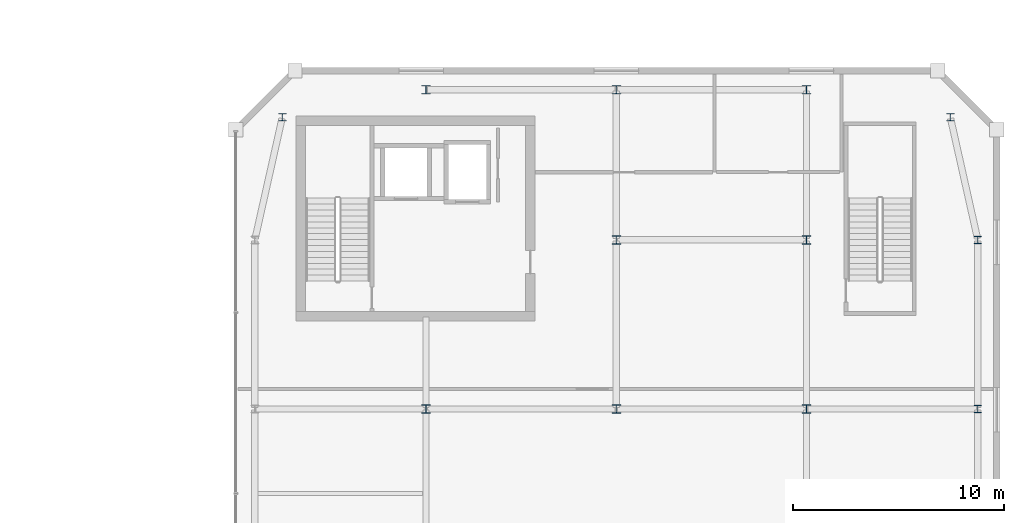
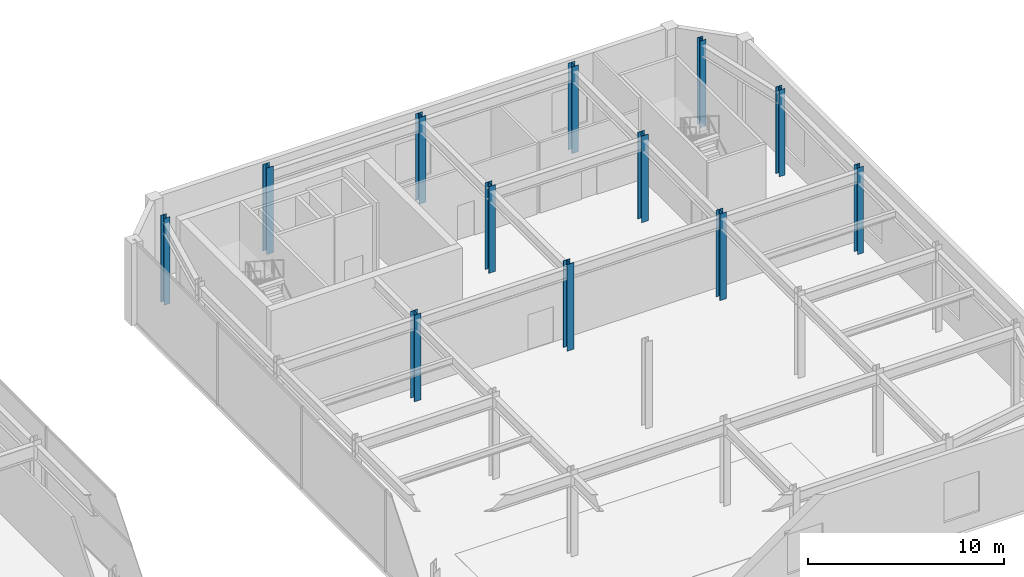
# One storey, part 7 of 51: 12 columns.
"""IFC4 building model written with IfcOpenShell, lengths in metres."""

import ifcopenshell
import ifcopenshell.guid

model = None  # the IFC model being written
_history = None  # IfcOwnerHistory: only IFC2X3 demands one
_inside = {}  # id of a spatial element -> (the spatial element, [elements in it])
_under = {}  # id of a project, library or spatial element -> (it, [spatial elements below it])
_declared = {}  # id of a project -> (the project, [libraries it declares])
_typed = {}  # id of a type object -> (the type object, [elements of that type])
_made_of = {}  # id of a material, layer set ... -> (it, [elements and type objects made of it])


def new_model(schema):
    """Start an empty IFC model of exactly this schema.

    Asked for "IFC4X3", IfcOpenShell would pick the latest addendum, in which some entities
    have other attributes; the version numbers below select the first issue.
    IFC2X3 requires an IfcOwnerHistory on every rooted entity: one is made here for all.
    """
    global model, _history
    if schema == "IFC4X3":
        model = ifcopenshell.file(schema_version=(4, 3, 0, 0))
    else:
        model = ifcopenshell.file(schema=schema)
    _inside.clear()
    _under.clear()
    _declared.clear()
    _typed.clear()
    _made_of.clear()
    _history = None
    if model.schema == "IFC2X3":
        org = make("IfcOrganization", Name="unknown")
        user = make(
            "IfcPersonAndOrganization",
            ThePerson=make("IfcPerson", FamilyName="unknown"),
            TheOrganization=org,
        )
        app = make(
            "IfcApplication",
            ApplicationDeveloper=org,
            Version="unknown",
            ApplicationFullName="unknown",
            ApplicationIdentifier="unknown",
        )
        _history = make(
            "IfcOwnerHistory",
            OwningUser=user,
            OwningApplication=app,
            ChangeAction="ADDED",
            CreationDate=0,
        )
    return model


def make(cls, **values):
    """One entity of the class cls with the attributes given. An attribute that is None is left unset."""
    return model.create_entity(
        cls, **{name: value for name, value in values.items() if value is not None}
    )


def rooted(cls, **values):
    """An entity with a GlobalId (a new one), such as an element, a storey or a relation."""
    return make(cls, GlobalId=ifcopenshell.guid.new(), OwnerHistory=_history, **values)


def si_unit(unit_type, name, prefix=None):
    """IfcSIUnit, for example si_unit("LENGTHUNIT", "METRE", prefix="MILLI")."""
    return make("IfcSIUnit", UnitType=unit_type, Prefix=prefix, Name=name)


def assignment(units):
    """IfcUnitAssignment: the units of a project."""
    return None if units is None else make("IfcUnitAssignment", Units=units)


def point(xyz):
    """IfcCartesianPoint."""
    return None if xyz is None else make("IfcCartesianPoint", Coordinates=xyz)


def direction(xyz):
    """IfcDirection."""
    return None if xyz is None else make("IfcDirection", DirectionRatios=xyz)


def frame(location, z_axis=None, x_axis=None):
    """IfcAxis2Placement3D, a coordinate frame: its origin and axes. An axis left out is left unset."""
    return make(
        "IfcAxis2Placement3D",
        Location=point(location),
        Axis=direction(z_axis),
        RefDirection=direction(x_axis),
    )


def frame_2d(location, x_axis=None):
    """IfcAxis2Placement2D, a coordinate frame in the plane: its origin and x axis."""
    return make(
        "IfcAxis2Placement2D", Location=point(location), RefDirection=direction(x_axis)
    )


def origin():
    """The frame at (0, 0, 0) with its axes left unset."""
    return frame((0.0, 0.0, 0.0))


def origin_2d():
    """The frame at (0, 0) in the plane with its x axis left unset."""
    return frame_2d((0.0, 0.0))


def place(relative_to, where):
    """IfcLocalPlacement: puts the frame where relative to a parent placement (None: the world)."""
    return make(
        "IfcLocalPlacement", PlacementRelTo=relative_to, RelativePlacement=where
    )


def context(
    kind, dimensions, precision=None, world=None, true_north=None, identifier=None
):
    """IfcGeometricRepresentationContext, for example the 3D "Model" context."""
    return make(
        "IfcGeometricRepresentationContext",
        ContextIdentifier=identifier,
        ContextType=kind,
        CoordinateSpaceDimension=dimensions,
        Precision=precision,
        WorldCoordinateSystem=world,
        TrueNorth=true_north,
    )


def subcontext(parent, identifier, kind, view, scale=None):
    """IfcGeometricRepresentationSubContext, for example "Body" below "Model"."""
    return make(
        "IfcGeometricRepresentationSubContext",
        ContextIdentifier=identifier,
        ContextType=kind,
        ParentContext=parent,
        TargetScale=scale,
        TargetView=view,
    )


def project(units=None, contexts=None):
    """IfcProject with its units and contexts."""
    return rooted(
        "IfcProject",
        Name="project",
        RepresentationContexts=contexts,
        UnitsInContext=assignment(units),
    )


def spatial(cls, under=None, at=None, **own):
    """A site, building, storey or space (cls), placed at a placement, below another one or the project."""
    s = rooted(cls, ObjectPlacement=at, **own)
    if under is not None:
        _under.setdefault(under.id(), (under, []))[1].append(s)
    return s


def profile(cls, at=None, kind="AREA", **sizes):
    """A parametric profile (cls). Its sizes go by their IFC names, for example OverallWidth=200.0."""
    return make(cls, ProfileType=kind, Position=at, **sizes)


def i_section(**sizes):
    """IfcIShapeProfileDef."""
    return profile("IfcIShapeProfileDef", **sizes)


def extrude(swept, where, along, depth):
    """IfcExtrudedAreaSolid: the profile swept, set in the frame where, extruded along a direction by depth."""
    return make(
        "IfcExtrudedAreaSolid",
        SweptArea=swept,
        Position=where,
        ExtrudedDirection=direction(along),
        Depth=depth,
    )


def shape(context_of_items, identifier, shape_type, items):
    """IfcShapeRepresentation: the items that make up one representation, for example the "Body"."""
    return make(
        "IfcShapeRepresentation",
        ContextOfItems=context_of_items,
        RepresentationIdentifier=identifier,
        RepresentationType=shape_type,
        Items=items,
    )


def material(Name=None, Category=None):
    """IfcMaterial."""
    return make("IfcMaterial", Name=Name, Category=Category)


def material_profile(
    of_material, cross_section, Name=None, Category=None, Priority=None
):
    """IfcMaterialProfile: a cross section and its material."""
    return make(
        "IfcMaterialProfile",
        Name=Name,
        Material=of_material,
        Profile=cross_section,
        Priority=Priority,
        Category=Category,
    )


def profile_set(profiles, Name=None, composite=None):
    """IfcMaterialProfileSet."""
    return make(
        "IfcMaterialProfileSet",
        Name=Name,
        MaterialProfiles=profiles,
        CompositeProfile=composite,
    )


def made_of(thing, what):
    """Note that an element or type object is made of a material, layer set ...; save() writes the relation."""
    if what is not None:
        _made_of.setdefault(what.id(), (what, []))[1].append(thing)
    return thing


def type_object(cls, material=None, **own):
    """A type object (cls), such as IfcWallType, which elements share."""
    return made_of(rooted(cls, **own), material)


def element(
    cls,
    number,
    at=None,
    inside=None,
    cuts=None,
    type_object=None,
    material=None,
    context=None,
    identifier="Body",
    shape_type=None,
    held_by="IfcProductDefinitionShape",
    body=None,
    shapes=None,
    **own,
):
    """One element of the class cls, such as IfcWall. Its Tag is "e" and its number.

    at: its placement. inside: the storey or other place that contains it. cuts: it is an
    opening in that element (IfcRelVoidsElement). A single representation is given by context,
    identifier, shape_type and body (its items); several are given by shapes. held_by: the class
    of the entity that holds the representations. save() writes the other relations.
    """
    e = rooted(cls, Tag="e%d" % number, ObjectPlacement=at, **own)
    if body is not None:
        shapes = [shape(context, identifier, shape_type, body)]
    if shapes is not None:
        e.Representation = make(held_by, Representations=shapes)
    if inside is not None:
        _inside.setdefault(inside.id(), (inside, []))[1].append(e)
    if cuts is not None:
        rooted(
            "IfcRelVoidsElement", RelatingBuildingElement=cuts, RelatedOpeningElement=e
        )
    if type_object is not None:
        _typed.setdefault(type_object.id(), (type_object, []))[1].append(e)
    return made_of(e, material)


def aggregate(whole, parts):
    """IfcRelAggregates: a whole, such as a stair, and the parts it consists of."""
    return rooted("IfcRelAggregates", RelatingObject=whole, RelatedObjects=parts)


def save(model, path):
    """Write the relations noted so far, then the file.

    IfcRelAggregates (storeys below a building ...), IfcRelContainedInSpatialStructure (elements
    in a storey), IfcRelDefinesByType, IfcRelAssociatesMaterial and IfcRelDeclares: one each for
    every whole, place, type object, material and project.
    """
    for whole, parts in _under.values():
        aggregate(whole, parts)
    for where, things in _inside.values():
        rooted(
            "IfcRelContainedInSpatialStructure",
            RelatedElements=things,
            RelatingStructure=where,
        )
    for kind, things in _typed.values():
        rooted("IfcRelDefinesByType", RelatedObjects=things, RelatingType=kind)
    for what, things in _made_of.values():
        rooted("IfcRelAssociatesMaterial", RelatedObjects=things, RelatingMaterial=what)
    for by, libraries in _declared.values():
        rooted("IfcRelDeclares", RelatingContext=by, RelatedDefinitions=libraries)
    model.write(path)


model = new_model("IFC4")

# Units and contexts
model_context = context("Model", 3, precision=1e-05, world=origin(), true_north=direction((0.0, 1.0)))
body_context = subcontext(model_context, "Body", "Model", "MODEL_VIEW")
ifc_project = project(units=[si_unit("LENGTHUNIT", "METRE"), si_unit("AREAUNIT", "SQUARE_METRE"), si_unit("VOLUMEUNIT", "CUBIC_METRE"), si_unit("PLANEANGLEUNIT", "RADIAN"), si_unit("MASSUNIT", "GRAM", prefix="KILO")], contexts=[model_context])

# Site, building, storey
site_placement = place(None, origin())
site = spatial("IfcSite", under=ifc_project, at=site_placement, CompositionType="ELEMENT")
building_placement = place(site_placement, origin())
building = spatial("IfcBuilding", under=site, at=building_placement, Name="Saevonmaru Cultural Tower", CompositionType="ELEMENT")
storey_placement = place(building_placement, frame((0.0, 0.0, 6.0)))
storey = spatial("IfcBuildingStorey", under=building, at=storey_placement, Name="L01", CompositionType="ELEMENT", Elevation=6.0)

# Columns
ifc_material = material(Name="Steel SM355", Category="steel")
ifc_material_profile_1 = material_profile(ifc_material, i_section(OverallWidth=0.35009765625, OverallDepth=0.35009765625, WebThickness=0.011962890625, FlangeThickness=0.01904296875, FilletRadius=0.02001953125, at=origin_2d()), Name="H-350x350x12x19")
ifc_profile_set_1 = profile_set([ifc_material_profile_1], Name="Steel SM355")
column_type_1 = type_object("IfcColumnType", Name="COL-H-350", PredefinedType="COLUMN", material=ifc_profile_set_1)
for number, where, z_axis, x_axis, name in (
    (1, (74.39990234375, 45.800048828125, 0.0), (0.0, 0.0, 1.0), (1.0, 0.0, 0.0), "L01 Column LC-9-G"),
    (2, (107.300048828125, 32.0, 0.0), (0.0, 0.0, 1.0), (1.0, 0.0, 0.0), "L01 Column LC-13-E"),
    (3, (107.300048828125, 40.0, 0.0), (0.0, 0.0, 1.0), (1.0, 0.0, 0.0), "L01 Column LC-13-F"),
    (4, (106.0, 45.800048828125, 0.0), (0.0, 0.0, 1.0), (1.0, 0.0, 0.0), "L01 Column LC-13-G"),
):
    element("IfcColumn", number, at=place(storey_placement, frame(where, z_axis=z_axis, x_axis=x_axis)), inside=storey, type_object=column_type_1, Name=name, PredefinedType="COLUMN", context=body_context, shape_type="SweptSolid", body=[
        extrude(i_section(OverallWidth=0.35009765625, OverallDepth=0.35009765625, WebThickness=0.011962890625, FlangeThickness=0.01904296875, FilletRadius=0.02001953125, at=origin_2d()), origin(), (0.0, 0.0, 1.0), 5.39990234375),
    ])
ifc_material_profile_2 = material_profile(ifc_material, i_section(OverallWidth=0.39990234375, OverallDepth=0.39990234375, WebThickness=0.012939453125, FlangeThickness=0.02099609375, FilletRadius=0.02197265625, at=origin_2d()), Name="H-400x400x13x21")
ifc_profile_set_2 = profile_set([ifc_material_profile_2], Name="Steel SM355")
column_type_2 = type_object("IfcColumnType", Name="COL-H-400", PredefinedType="COLUMN", material=ifc_profile_set_2)
for number, where, z_axis, x_axis, name in (
    (5, (81.199951171875, 32.0, 0.0), (0.0, 0.0, 1.0), (1.0, 0.0, 0.0), "L01 Column LC-10-E"),
    (6, (81.199951171875, 47.10009765625, 0.0), (0.0, 0.0, 1.0), (1.0, 0.0, 0.0), "L01 Column LC-10-G"),
    (7, (90.199951171875, 32.0, 0.0), (0.0, 0.0, 1.0), (1.0, 0.0, 0.0), "L01 Column LC-11-E"),
    (8, (90.199951171875, 40.0, 0.0), (0.0, 0.0, 1.0), (1.0, 0.0, 0.0), "L01 Column LC-11-F"),
    (9, (90.199951171875, 47.10009765625, 0.0), (0.0, 0.0, 1.0), (1.0, 0.0, 0.0), "L01 Column LC-11-G"),
    (10, (99.199951171875, 32.0, 0.0), (0.0, 0.0, 1.0), (1.0, 0.0, 0.0), "L01 Column LC-12-E"),
    (11, (99.199951171875, 40.0, 0.0), (0.0, 0.0, 1.0), (1.0, 0.0, 0.0), "L01 Column LC-12-F"),
    (12, (99.199951171875, 47.10009765625, 0.0), (0.0, 0.0, 1.0), (1.0, 0.0, 0.0), "L01 Column LC-12-G"),
):
    element("IfcColumn", number, at=place(storey_placement, frame(where, z_axis=z_axis, x_axis=x_axis)), inside=storey, type_object=column_type_2, Name=name, PredefinedType="COLUMN", context=body_context, shape_type="SweptSolid", body=[
        extrude(i_section(OverallWidth=0.39990234375, OverallDepth=0.39990234375, WebThickness=0.012939453125, FlangeThickness=0.02099609375, FilletRadius=0.02197265625, at=origin_2d()), origin(), (0.0, 0.0, 1.0), 5.39990234375),
    ])

save(model, "model.ifc")
